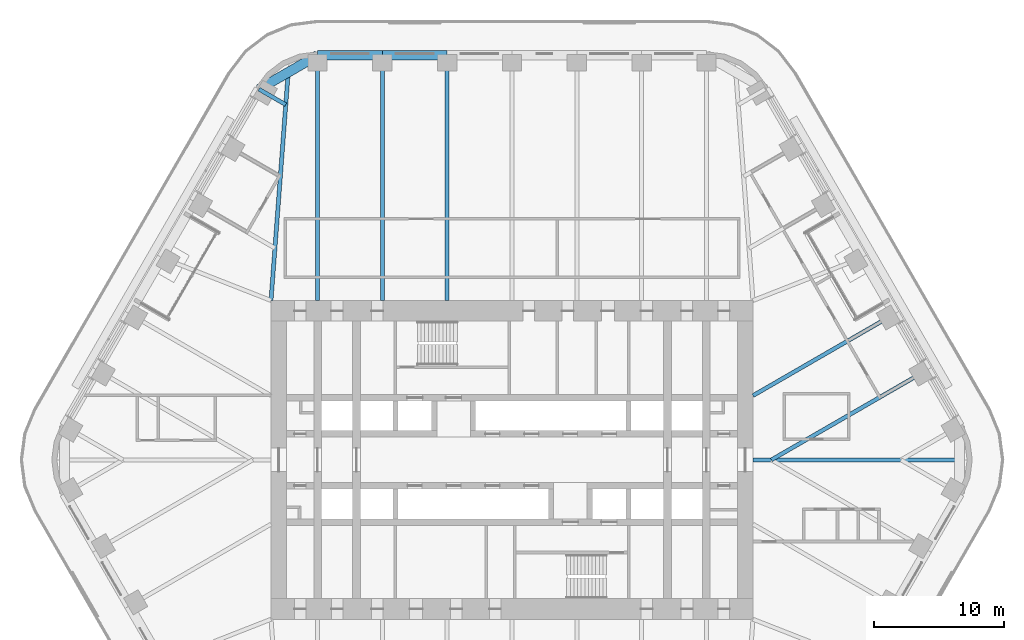
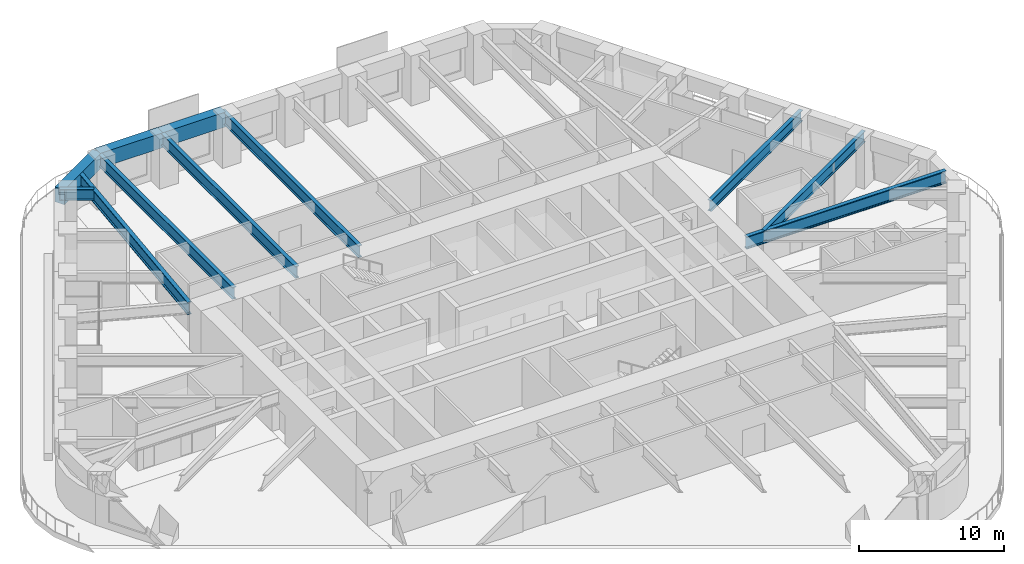
# One storey, part 10 of 24: 11 beams.
"""IFC4 building model written with IfcOpenShell, lengths in metres."""

from ifc_helpers import new_model, si_unit, direction, frame, origin, origin_2d, place, context, subcontext, project, spatial, rectangle, i_section, extrude, material, material_profile, profile_set, type_object, element, save


model = new_model("IFC4")

# Units and contexts
model_context = context("Model", 3, precision=1e-05, world=origin(), true_north=direction((0.0, 1.0)))
body_context = subcontext(model_context, "Body", "Model", "MODEL_VIEW")
ifc_project = project(units=[si_unit("LENGTHUNIT", "METRE"), si_unit("AREAUNIT", "SQUARE_METRE"), si_unit("VOLUMEUNIT", "CUBIC_METRE"), si_unit("PLANEANGLEUNIT", "RADIAN"), si_unit("MASSUNIT", "GRAM", prefix="KILO")], contexts=[model_context])

# Site, building, storey
site_placement = place(None, origin())
site = spatial("IfcSite", under=ifc_project, at=site_placement, CompositionType="ELEMENT")
building_placement = place(site_placement, origin())
building = spatial("IfcBuilding", under=site, at=building_placement, Name="Tarfa Lantern Tower", CompositionType="ELEMENT")
storey_placement = place(building_placement, frame((0.0, 0.0, 195.10009765625)))
storey = spatial("IfcBuildingStorey", under=building, at=storey_placement, Name="L44", CompositionType="ELEMENT", Elevation=195.10009765625)

# Beams
ifc_material_1 = material(Name="Concrete C80/95", Category="concrete")
ifc_material_profile_1 = material_profile(ifc_material_1, rectangle(XDim=0.75, YDim=1.25, at=origin_2d()), Name="RC 750x1250")
ifc_profile_set_1 = profile_set([ifc_material_profile_1], Name="Concrete C80/95")
beam_type_1 = type_object("IfcBeamType", Name="EB2 RC 750x1250", PredefinedType="SPANDREL", material=ifc_profile_set_1)
for number, where, z_axis, x_axis, name in (
    (1, (-5.003662109375, 31.219970703125, 3.375), (-1.0, 0.0, 0.0), (0.0, -1.0, 0.0), "Edge beam N4"),
    (2, (-10.00732421875, 31.219970703125, 3.375), (-1.0, 0.0, 0.0), (0.0, -1.0, 0.0), "Edge beam N5"),
):
    element("IfcBeam", number, at=place(storey_placement, frame(where, z_axis=z_axis, x_axis=x_axis)), inside=storey, type_object=beam_type_1, Name=name, PredefinedType="SPANDREL", context=body_context, shape_type="SweptSolid", body=[
        extrude(rectangle(XDim=0.75, YDim=1.25, at=origin_2d()), origin(), (0.0, 0.0, 1.0), 5.003662109375),
    ])
beam_1_placement = place(storey_placement, frame((-15.010986328125, 31.219970703125, 3.375), z_axis=(-0.86604150238, -0.499972115377, 0.0), x_axis=(0.499972115377, -0.86604150238, 0.0)))
element("IfcBeam", 3, at=beam_1_placement, inside=storey, type_object=beam_type_1, Name="Edge beam N6", PredefinedType="SPANDREL", context=body_context, shape_type="SweptSolid", body=[
    extrude(rectangle(XDim=0.75, YDim=1.25, at=origin_2d()), origin(), (0.0, 0.0, 1.0), 5.219970703125),
])
ifc_material_2 = material(Name="Steel S460M", Category="steel")
ifc_material_profile_2 = material_profile(ifc_material_2, i_section(OverallWidth=0.302001953125, OverallDepth=1.008056640625, WebThickness=0.02099609375, FlangeThickness=0.0400390625, FilletRadius=0.030029296875, at=origin_2d()), Name="UB1016x305x349")
ifc_profile_set_2 = profile_set([ifc_material_profile_2], Name="Steel S460M")
beam_type_2 = type_object("IfcBeamType", Name="UB1016x305x349", PredefinedType="BEAM", material=ifc_profile_set_2)
for number, where, z_axis, x_axis, name in (
    (4, (-5.003662109375, 31.219970703125, 3.495849609375), (0.0, -1.0, 0.0), (1.0, 0.0, 0.0), "Floor beam N4"),
    (5, (-10.00732421875, 31.219970703125, 3.495849609375), (0.0, -1.0, 0.0), (1.0, 0.0, 0.0), "Floor beam N5"),
    (6, (-15.010986328125, 31.219970703125, 3.495849609375), (0.0, -1.0, 0.0), (1.0, 0.0, 0.0), "Floor beam N6"),
):
    element("IfcBeam", number, at=place(storey_placement, frame(where, z_axis=z_axis, x_axis=x_axis)), inside=storey, type_object=beam_type_2, Name=name, PredefinedType="BEAM", context=body_context, shape_type="SweptSolid", body=[
        extrude(i_section(OverallWidth=0.302001953125, OverallDepth=1.008056640625, WebThickness=0.02099609375, FlangeThickness=0.0400390625, FilletRadius=0.030029296875, at=origin_2d()), origin(), (0.0, 0.0, 1.0), 18.919921875),
    ])
ifc_material_profile_3 = material_profile(ifc_material_2, i_section(OverallWidth=0.314208984375, OverallDepth=1.055908203125, WebThickness=0.035888671875, FlangeThickness=0.06396484375, FilletRadius=0.030029296875, at=origin_2d()), Name="UB1016x305x584")
ifc_profile_set_3 = profile_set([ifc_material_profile_3], Name="Steel S460M")
beam_type_3 = type_object("IfcBeamType", Name="UB1016x305x584", PredefinedType="BEAM", material=ifc_profile_set_3)
beam_2_placement = place(storey_placement, frame((18.60009765625, 0.0, 3.471923828125), z_axis=(1.0, 0.0, 0.0), x_axis=(0.0, 1.0, 0.0)))
element("IfcBeam", 7, at=beam_2_placement, inside=storey, type_object=beam_type_3, Name="Hip girder E", PredefinedType="BEAM", context=body_context, shape_type="SweptSolid", body=[
    extrude(i_section(OverallWidth=0.314208984375, OverallDepth=1.055908203125, WebThickness=0.035888671875, FlangeThickness=0.06396484375, FilletRadius=0.030029296875, at=origin_2d()), origin(), (0.0, 0.0, 1.0), 15.94287109375),
])
beam_3_placement = place(storey_placement, frame((-18.60009765625, 12.300048828125, 3.471923828125), z_axis=(0.075211516041, 0.99716760269, 0.0), x_axis=(-0.99716760269, 0.075211516041, 0.0)))
element("IfcBeam", 8, at=beam_3_placement, inside=storey, type_object=beam_type_3, Name="Hip girder NW", PredefinedType="BEAM", context=body_context, shape_type="SweptSolid", body=[
    extrude(i_section(OverallWidth=0.314208984375, OverallDepth=1.055908203125, WebThickness=0.035888671875, FlangeThickness=0.06396484375, FilletRadius=0.030029296875, at=origin_2d()), origin(), (0.0, 0.0, 1.0), 17.6650390625),
])
ifc_material_profile_4 = material_profile(ifc_material_2, i_section(OverallWidth=0.305419921875, OverallDepth=0.91845703125, WebThickness=0.017333984375, FlangeThickness=0.02783203125, FilletRadius=0.01904296875, at=origin_2d()), Name="UB914x305x253")
ifc_profile_set_4 = profile_set([ifc_material_profile_4], Name="Steel S460M")
beam_type_4 = type_object("IfcBeamType", Name="UB914x305x253", PredefinedType="BEAM", material=ifc_profile_set_4)
beam_4_placement = place(storey_placement, frame((32.041015625, 6.943359375, 3.540771484375), z_axis=(-0.866023096411, -0.500003996466, 0.0), x_axis=(0.500003996466, -0.866023096411, 0.0)))
element("IfcBeam", 9, at=beam_4_placement, inside=storey, type_object=beam_type_4, Name="Floor beam NE1", PredefinedType="BEAM", context=body_context, shape_type="SweptSolid", body=[
    extrude(i_section(OverallWidth=0.305419921875, OverallDepth=0.91845703125, WebThickness=0.017333984375, FlangeThickness=0.02783203125, FilletRadius=0.01904296875, at=origin_2d()), origin(), (0.0, 0.0, 1.0), 13.88671875),
])
beam_5_placement = place(storey_placement, frame((29.5390625, 11.276611328125, 3.540771484375), z_axis=(-0.866023362995, -0.500003534735, 0.0), x_axis=(0.500003534735, -0.866023362995, 0.0)))
element("IfcBeam", 10, at=beam_5_placement, inside=storey, type_object=beam_type_4, Name="Floor beam NE2", PredefinedType="BEAM", context=body_context, shape_type="SweptSolid", body=[
    extrude(i_section(OverallWidth=0.305419921875, OverallDepth=0.91845703125, WebThickness=0.017333984375, FlangeThickness=0.02783203125, FilletRadius=0.01904296875, at=origin_2d()), origin(), (0.0, 0.0, 1.0), 12.63134765625),
])
beam_6_placement = place(storey_placement, frame((-19.53173828125, 28.610107421875, 3.540771484375), z_axis=(0.865998640954, -0.500046351717, 0.0), x_axis=(0.500046351717, 0.865998640954, 0.0)))
element("IfcBeam", 11, at=beam_6_placement, inside=storey, type_object=beam_type_4, Name="Floor beam NW0", PredefinedType="BEAM", context=body_context, shape_type="SweptSolid", body=[
    extrude(i_section(OverallWidth=0.305419921875, OverallDepth=0.91845703125, WebThickness=0.017333984375, FlangeThickness=0.02783203125, FilletRadius=0.01904296875, at=origin_2d()), origin(), (0.0, 0.0, 1.0), 2.392333984375),
])

save(model, "model.ifc")
